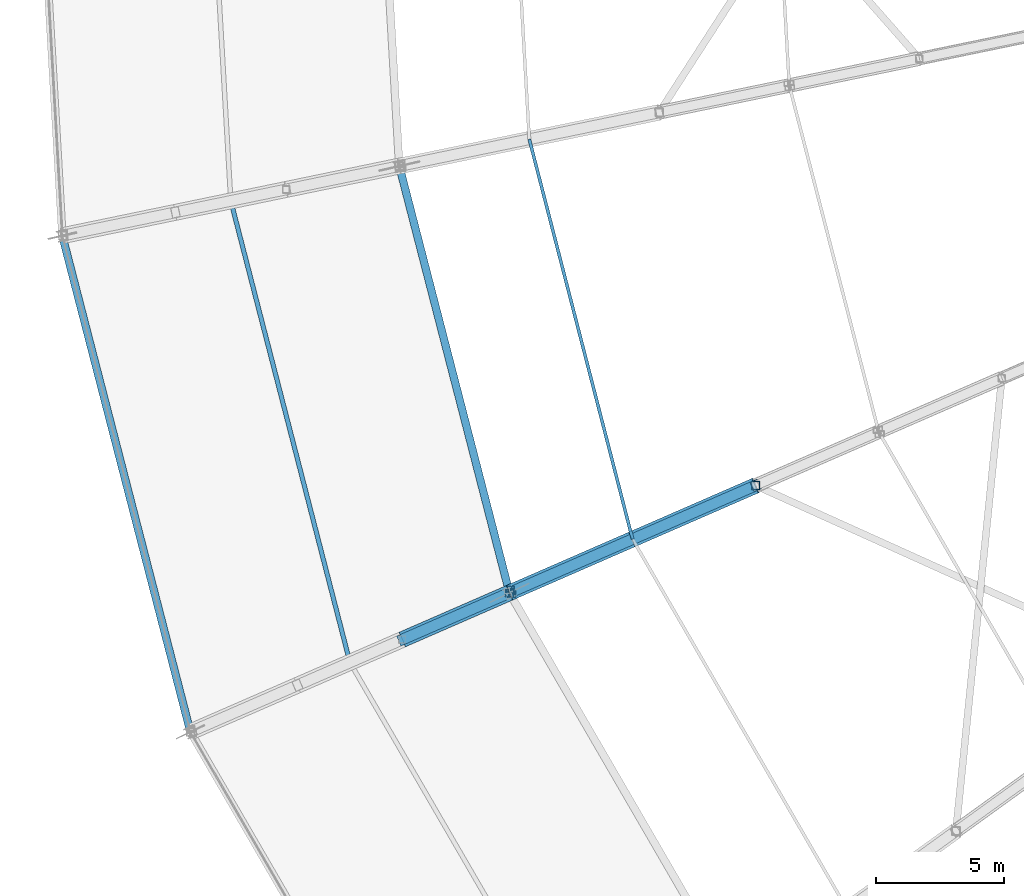
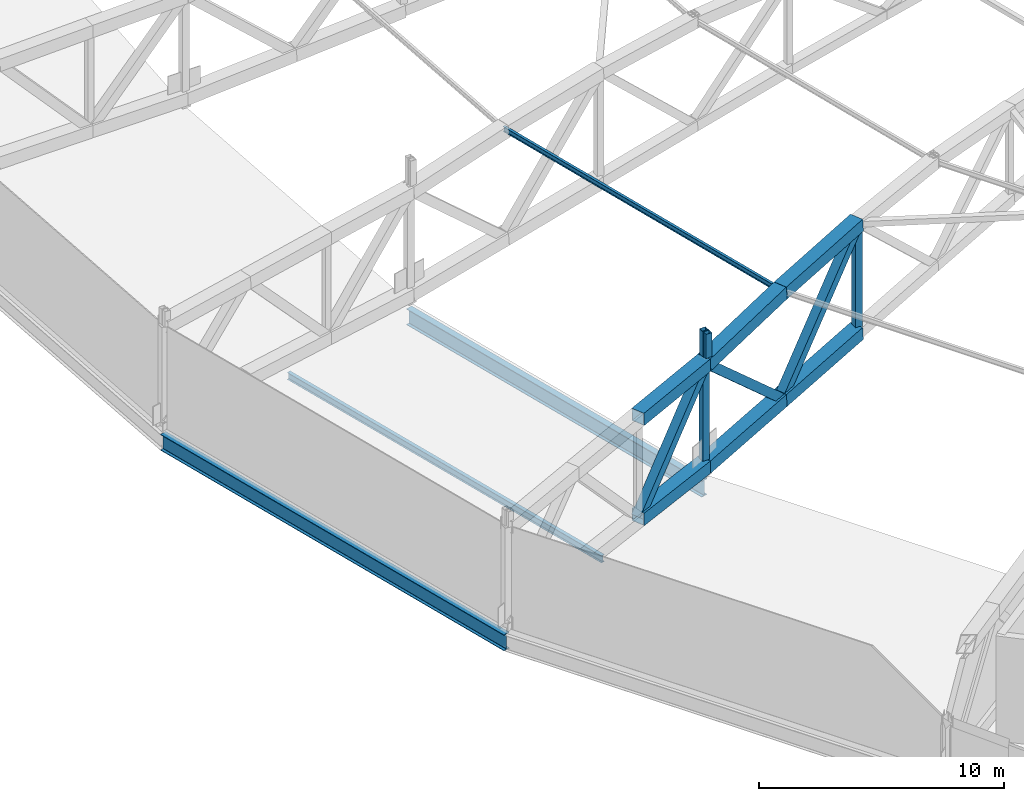
# One storey, part 20 of 162: 14 members, 3 beams.
"""IFC4 building model written with IfcOpenShell, lengths in metres."""

from ifc_helpers import new_model, si_unit, direction, frame, origin, origin_2d, place, context, subcontext, project, spatial, hollow_rectangle, i_section, extrude, material, material_profile, profile_set, type_object, element, save


model = new_model("IFC4")

# Units and contexts
model_context = context("Model", 3, precision=1e-05, world=origin(), true_north=direction((0.0, 1.0)))
body_context = subcontext(model_context, "Body", "Model", "MODEL_VIEW")
ifc_project = project(units=[si_unit("LENGTHUNIT", "METRE"), si_unit("AREAUNIT", "SQUARE_METRE"), si_unit("VOLUMEUNIT", "CUBIC_METRE"), si_unit("PLANEANGLEUNIT", "RADIAN"), si_unit("MASSUNIT", "GRAM", prefix="KILO")], contexts=[model_context])

# Site, building, storey
site_placement = place(None, origin())
site = spatial("IfcSite", under=ifc_project, at=site_placement, CompositionType="ELEMENT")
building_placement = place(site_placement, origin())
building = spatial("IfcBuilding", under=site, at=building_placement, Name="Kazemori Nagisa Stadium", CompositionType="ELEMENT")
storey_placement = place(building_placement, frame((0.0, 0.0, 36.719970703125)))
storey = spatial("IfcBuildingStorey", under=building, at=storey_placement, Name="RF", CompositionType="ELEMENT", Elevation=36.719970703125)

# Beams
ifc_material_1 = material(Name="Steel SN490B", Category="steel")
ifc_material_profile_1 = material_profile(ifc_material_1, i_section(OverallWidth=0.300048828125, OverallDepth=0.800048828125, WebThickness=0.013916015625, FlangeThickness=0.02587890625, FilletRadius=0.01806640625, at=origin_2d()), Name="H-800x300x14x26")
ifc_profile_set_1 = profile_set([ifc_material_profile_1], Name="Steel SN490B")
beam_type_1 = type_object("IfcBeamType", Name="Beam_BG-H800", PredefinedType="BEAM", material=ifc_profile_set_1)
beam_1_placement = place(storey_placement, frame((42.262451171875, 85.31787109375, -0.679931640625), z_axis=(0.249974673676, -0.968252375427, 0.0), x_axis=(0.968252375427, 0.249974673676, 0.0)))
element("IfcBeam", 1, at=beam_1_placement, inside=storey, type_object=beam_type_1, Name="Ring girder BG-H800 RF R2-16", PredefinedType="BEAM", context=body_context, shape_type="SweptSolid", body=[
    extrude(i_section(OverallWidth=0.300048828125, OverallDepth=0.800048828125, WebThickness=0.013916015625, FlangeThickness=0.02587890625, FilletRadius=0.01806640625, at=origin_2d()), origin(), (0.0, 0.0, 1.0), 17.188232421875),
])
beam_2_placement = place(storey_placement, frame((29.119140625, 82.602294921875, -0.679931640625), z_axis=(0.249964097999, -0.968255105699, 0.0), x_axis=(0.968255105699, 0.249964097999, 0.0)))
element("IfcBeam", 2, at=beam_2_placement, inside=storey, type_object=beam_type_1, Name="Roof compression ring beam BG-H800 R3-16", PredefinedType="BEAM", context=body_context, shape_type="SweptSolid", body=[
    extrude(i_section(OverallWidth=0.300048828125, OverallDepth=0.800048828125, WebThickness=0.013916015625, FlangeThickness=0.02587890625, FilletRadius=0.01806640625, at=origin_2d()), origin(), (0.0, 0.0, 1.0), 19.986328125),
])
ifc_material_profile_2 = material_profile(ifc_material_1, i_section(OverallWidth=0.175048828125, OverallDepth=0.35009765625, WebThickness=0.007080078125, FlangeThickness=0.010986328125, FilletRadius=0.012939453125, at=origin_2d()), Name="H-350x175x7x11")
ifc_profile_set_2 = profile_set([ifc_material_profile_2], Name="Steel SN490B")
beam_type_2 = type_object("IfcBeamType", Name="Beam_BJ-H350", PredefinedType="JOIST", material=ifc_profile_set_2)
beam_3_placement = place(storey_placement, frame((35.72705078125, 83.81982421875, -0.455078125), z_axis=(0.249965990044, -0.968254617248, 0.0), x_axis=(0.968254617248, 0.249965990044, 0.0)))
element("IfcBeam", 3, at=beam_3_placement, inside=storey, type_object=beam_type_2, Name="Outer bay joist BJ-H350 RF B16", PredefinedType="JOIST", context=body_context, shape_type="SweptSolid", body=[
    extrude(i_section(OverallWidth=0.175048828125, OverallDepth=0.35009765625, WebThickness=0.007080078125, FlangeThickness=0.010986328125, FilletRadius=0.012939453125, at=origin_2d()), origin(), (0.0, 0.0, 1.0), 18.29736328125),
])

# Members
ifc_material_2 = material(Name="Steel STKR490", Category="steel")
ifc_material_profile_3 = material_profile(ifc_material_2, hollow_rectangle(XDim=0.280029296875, YDim=0.280029296875, WallThickness=0.010009765625, at=origin_2d()), Name="SHS-280x280x10")
ifc_profile_set_3 = profile_set([ifc_material_profile_3], Name="Steel STKR490")
member_type_1 = type_object("IfcMemberType", Name="Member_ST-SHS280", PredefinedType="STUD", material=ifc_profile_set_3)
member_1_placement = place(storey_placement, frame((46.612060546875, 68.782958984375, 5.56005859375), z_axis=(0.0, 0.0, 1.0), x_axis=(1.0, 0.0, 0.0)))
element("IfcMember", 4, at=member_1_placement, inside=storey, type_object=member_type_1, Name="Canopy bearing stool B16-mid-2", PredefinedType="STUD", context=body_context, shape_type="SweptSolid", body=[
    extrude(hollow_rectangle(XDim=0.280029296875, YDim=0.280029296875, WallThickness=0.010009765625, at=origin_2d()), origin(), (0.0, 0.0, 1.0), 1.56689453125),
])
member_2_placement = place(storey_placement, frame((46.672607421875, 68.63671875, 5.56005859375), z_axis=(0.0, 0.0, 1.0), x_axis=(1.0, 0.0, 0.0)))
element("IfcMember", 5, at=member_2_placement, inside=storey, type_object=member_type_1, Name="Canopy bearing stool B17-mid-1", PredefinedType="STUD", context=body_context, shape_type="SweptSolid", body=[
    extrude(hollow_rectangle(XDim=0.280029296875, YDim=0.280029296875, WallThickness=0.010009765625, at=origin_2d()), origin(), (0.0, 0.0, 1.0), 1.512939453125),
])
ifc_material_profile_4 = material_profile(ifc_material_2, hollow_rectangle(XDim=0.419921875, YDim=0.419921875, WallThickness=0.01611328125, at=origin_2d()), Name="SHS-420x420x16")
ifc_profile_set_4 = profile_set([ifc_material_profile_4], Name="Steel STKR490")
member_type_2 = type_object("IfcMemberType", Name="Member_TB-SHS420", PredefinedType="BRACE", material=ifc_profile_set_4)
member_3_placement = place(storey_placement, frame((42.38134765625, 66.854248046875, 0.43994140625), z_axis=(0.609480709144, 0.265668338564, 0.746962916794), x_axis=(-0.39958195767, 0.916697474145, 0.0)))
element("IfcMember", 6, at=member_3_placement, inside=storey, type_object=member_type_2, Name="Roof space truss diagonal RT-17-3", PredefinedType="BRACE", context=body_context, shape_type="SweptSolid", body=[
    extrude(hollow_rectangle(XDim=0.419921875, YDim=0.419921875, WallThickness=0.01611328125, at=origin_2d()), origin(), (0.0, 0.0, 1.0), 6.8544921875),
])
member_4_placement = place(storey_placement, frame((46.55908203125, 68.67529296875, 5.56005859375), z_axis=(0.681504221727, 0.297124608801, -0.668781700268), x_axis=(-0.399651729643, 0.916667057875, 0.0)))
element("IfcMember", 7, at=member_4_placement, inside=storey, type_object=member_type_2, Name="Roof space truss diagonal RT-17-4", PredefinedType="BRACE", context=body_context, shape_type="SweptSolid", body=[
    extrude(hollow_rectangle(XDim=0.419921875, YDim=0.419921875, WallThickness=0.01611328125, at=origin_2d()), origin(), (0.0, 0.0, 1.0), 7.04248046875),
])
member_5_placement = place(storey_placement, frame((51.358642578125, 70.767822265625, 0.85009765625), z_axis=(0.615675483339, 0.268410710463, 0.74087744582), x_axis=(-0.399634648115, 0.916674504951, 0.0)))
element("IfcMember", 8, at=member_5_placement, inside=storey, type_object=member_type_2, Name="Roof space truss diagonal RT-17-5", PredefinedType="BRACE", context=body_context, shape_type="SweptSolid", body=[
    extrude(hollow_rectangle(XDim=0.419921875, YDim=0.419921875, WallThickness=0.01611328125, at=origin_2d()), origin(), (0.0, 0.0, 1.0), 7.7958984375),
])
ifc_material_profile_5 = material_profile(ifc_material_2, hollow_rectangle(XDim=0.6201171875, YDim=0.6201171875, WallThickness=0.02197265625, at=origin_2d()), Name="SHS-620x620x22")
ifc_profile_set_5 = profile_set([ifc_material_profile_5], Name="Steel STKR490")
member_type_3 = type_object("IfcMemberType", Name="Member_TC-SHS620", PredefinedType="CHORD", material=ifc_profile_set_5)
member_6_placement = place(storey_placement, frame((42.38134765625, 66.854248046875, 5.419921875), z_axis=(0.916264399752, 0.399393183599, 0.030734909155), x_axis=(-0.39958195767, 0.916697474145, 0.0)))
element("IfcMember", 9, at=member_6_placement, inside=storey, type_object=member_type_3, Name="Roof space truss top chord RT-17-3", PredefinedType="CHORD", context=body_context, shape_type="SweptSolid", body=[
    extrude(hollow_rectangle(XDim=0.6201171875, YDim=0.6201171875, WallThickness=0.02197265625, at=origin_2d()), origin(), (0.0, 0.0, 1.0), 4.5595703125),
])
member_7_placement = place(storey_placement, frame((42.38134765625, 66.854248046875, 0.43994140625), z_axis=(0.916662098113, 0.399566537507, 0.008785214124), x_axis=(-0.39958195767, 0.916697474145, 0.0)))
element("IfcMember", 10, at=member_7_placement, inside=storey, type_object=member_type_3, Name="Roof space truss bottom chord RT-17-3", PredefinedType="CHORD", context=body_context, shape_type="SweptSolid", body=[
    extrude(hollow_rectangle(XDim=0.6201171875, YDim=0.6201171875, WallThickness=0.02197265625, at=origin_2d()), origin(), (0.0, 0.0, 1.0), 4.5576171875),
])
member_8_placement = place(storey_placement, frame((46.55908203125, 68.67529296875, 5.56005859375), z_axis=(0.909897129145, 0.396700152292, 0.12131036042), x_axis=(-0.399651729643, 0.916667057875, 0.0)))
element("IfcMember", 11, at=member_8_placement, inside=storey, type_object=member_type_3, Name="Roof space truss top chord RT-17-4", PredefinedType="CHORD", context=body_context, shape_type="SweptSolid", body=[
    extrude(hollow_rectangle(XDim=0.6201171875, YDim=0.6201171875, WallThickness=0.02197265625, at=origin_2d()), origin(), (0.0, 0.0, 1.0), 5.27490234375),
])
member_9_placement = place(storey_placement, frame((46.55908203125, 68.67529296875, 0.47998046875), z_axis=(0.914385368274, 0.398656950581, 0.070512651625), x_axis=(-0.399651729643, 0.916667057875, 0.0)))
element("IfcMember", 12, at=member_9_placement, inside=storey, type_object=member_type_3, Name="Roof space truss bottom chord RT-17-4", PredefinedType="CHORD", context=body_context, shape_type="SweptSolid", body=[
    extrude(hollow_rectangle(XDim=0.6201171875, YDim=0.6201171875, WallThickness=0.02197265625, at=origin_2d()), origin(), (0.0, 0.0, 1.0), 5.2490234375),
])
member_10_placement = place(storey_placement, frame((51.358642578125, 70.767822265625, 6.199951171875), z_axis=(0.913655321099, 0.398318400668, 0.081095042488), x_axis=(-0.399634648115, 0.916674504951, 0.0)))
element("IfcMember", 13, at=member_10_placement, inside=storey, type_object=member_type_3, Name="Roof space truss top chord RT-17-5", PredefinedType="CHORD", context=body_context, shape_type="SweptSolid", body=[
    extrude(hollow_rectangle(XDim=0.6201171875, YDim=0.6201171875, WallThickness=0.02197265625, at=origin_2d()), origin(), (0.0, 0.0, 1.0), 5.25341796875),
])
member_11_placement = place(storey_placement, frame((51.358642578125, 70.767822265625, 0.85009765625), z_axis=(0.914143710711, 0.39853131966, 0.074256739878), x_axis=(-0.399634648115, 0.916674504951, 0.0)))
element("IfcMember", 14, at=member_11_placement, inside=storey, type_object=member_type_3, Name="Roof space truss bottom chord RT-17-5", PredefinedType="CHORD", context=body_context, shape_type="SweptSolid", body=[
    extrude(hollow_rectangle(XDim=0.6201171875, YDim=0.6201171875, WallThickness=0.02197265625, at=origin_2d()), origin(), (0.0, 0.0, 1.0), 5.25048828125),
])
ifc_material_profile_6 = material_profile(ifc_material_1, i_section(OverallWidth=0.125, OverallDepth=0.25, WebThickness=0.006103515625, FlangeThickness=0.009033203125, FilletRadius=0.008056640625, at=origin_2d()), Name="H-250x125x6x9")
ifc_profile_set_6 = profile_set([ifc_material_profile_6], Name="Steel SN490B")
member_type_4 = type_object("IfcMemberType", Name="Member_TP-H250", PredefinedType="PURLIN", material=ifc_profile_set_6)
member_12_placement = place(storey_placement, frame((47.33203125, 86.365478515625, 6.221923828125), z_axis=(0.249959832436, -0.968255246143, -0.001363995933), x_axis=(0.968256146857, 0.249960064959, 0.0)))
element("IfcMember", 15, at=member_12_placement, inside=storey, type_object=member_type_4, Name="Roof purlin TP-H250 B16-P4", PredefinedType="PURLIN", context=body_context, shape_type="SweptSolid", body=[
    extrude(i_section(OverallWidth=0.125, OverallDepth=0.25, WebThickness=0.006103515625, FlangeThickness=0.009033203125, FilletRadius=0.008056640625, at=origin_2d()), origin(), (0.0, 0.0, 1.0), 16.109130859375),
])
ifc_material_profile_7 = material_profile(ifc_material_2, hollow_rectangle(XDim=0.320068359375, YDim=0.320068359375, WallThickness=0.011962890625, at=origin_2d()), Name="SHS-320x320x12")
ifc_profile_set_7 = profile_set([ifc_material_profile_7], Name="Steel STKR490")
member_type_5 = type_object("IfcMemberType", Name="Member_TS-SHS320", PredefinedType="STRUT", material=ifc_profile_set_7)
member_13_placement = place(storey_placement, frame((46.55908203125, 68.67529296875, 0.47998046875), z_axis=(0.0, 0.0, 1.0), x_axis=(1.0, 0.0, 0.0)))
element("IfcMember", 16, at=member_13_placement, inside=storey, type_object=member_type_5, Name="Roof space truss strut RT-17-4", PredefinedType="STRUT", context=body_context, shape_type="SweptSolid", body=[
    extrude(hollow_rectangle(XDim=0.320068359375, YDim=0.320068359375, WallThickness=0.011962890625, at=origin_2d()), origin(), (0.0, 0.0, 1.0), 5.080078125),
])
member_14_placement = place(storey_placement, frame((56.158447265625, 72.8603515625, 1.239990234375), z_axis=(0.0, 0.0, 1.0), x_axis=(1.0, 0.0, 0.0)))
element("IfcMember", 17, at=member_14_placement, inside=storey, type_object=member_type_5, Name="Roof space truss strut RT-17-6", PredefinedType="STRUT", context=body_context, shape_type="SweptSolid", body=[
    extrude(hollow_rectangle(XDim=0.320068359375, YDim=0.320068359375, WallThickness=0.011962890625, at=origin_2d()), origin(), (0.0, 0.0, 1.0), 5.385986328125),
])

save(model, "model.ifc")
